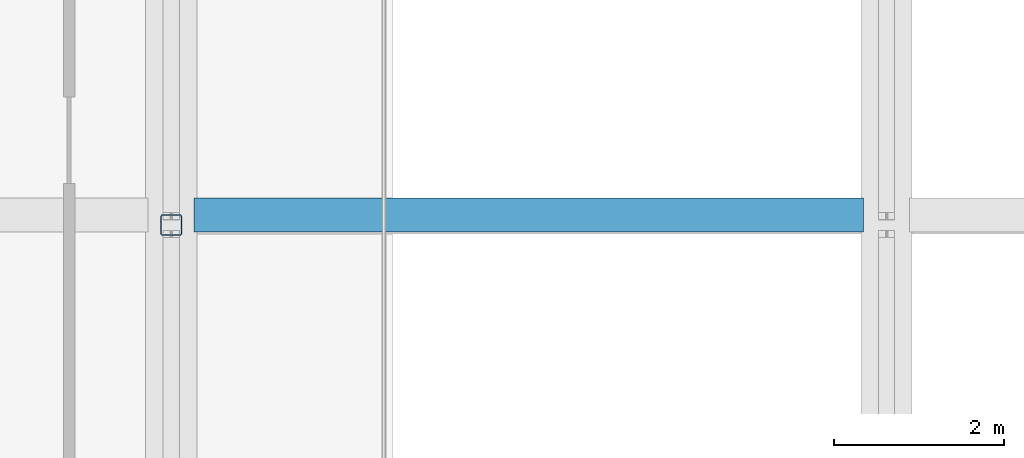
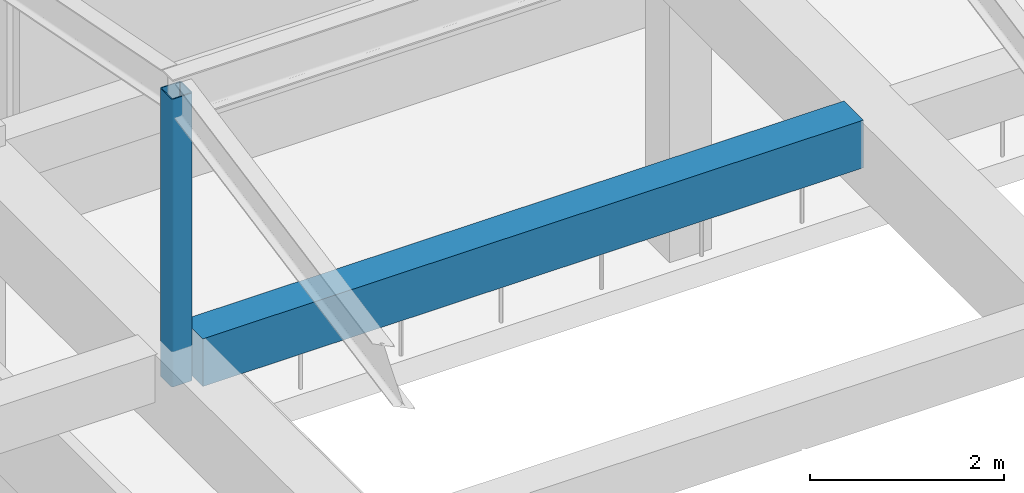
# One storey, part 25 of 91: 1 beam, 1 member.
"""IFC4 building model written with IfcOpenShell, lengths in metres."""

from ifc_helpers import new_model, si_unit, direction, frame, origin, origin_2d, place, context, subcontext, project, spatial, rectangle, hollow_rectangle, extrude, material, material_profile, profile_set, type_object, element, save


model = new_model("IFC4")

# Units and contexts
model_context = context("Model", 3, precision=1e-05, world=origin(), true_north=direction((0.0, 1.0)))
body_context = subcontext(model_context, "Body", "Model", "MODEL_VIEW")
ifc_project = project(units=[si_unit("LENGTHUNIT", "METRE"), si_unit("AREAUNIT", "SQUARE_METRE"), si_unit("VOLUMEUNIT", "CUBIC_METRE"), si_unit("PLANEANGLEUNIT", "RADIAN"), si_unit("MASSUNIT", "GRAM", prefix="KILO")], contexts=[model_context])

# Site, building, storey
site_placement = place(None, origin())
site = spatial("IfcSite", under=ifc_project, at=site_placement, CompositionType="ELEMENT")
building_placement = place(site_placement, origin())
building = spatial("IfcBuilding", under=site, at=building_placement, Name="Tarnavel Promenade Courthouse", CompositionType="ELEMENT")
storey_placement = place(building_placement, frame((0.0, 0.0, 9.89990234375)))
storey = spatial("IfcBuildingStorey", under=building, at=storey_placement, Name="L03", CompositionType="ELEMENT", Elevation=9.89990234375)

# Beam
ifc_material_1 = material(Name="Concrete C40/50", Category="concrete")
ifc_material_profile_1 = material_profile(ifc_material_1, rectangle(XDim=0.39990234375, YDim=0.60009765625, at=origin_2d()), Name="PT 400x600")
ifc_profile_set_1 = profile_set([ifc_material_profile_1], Name="Concrete C40/50")
beam_type = type_object("IfcBeamType", Name="Concrete C40/50 BM-PT-400x600 (PT 400x600)", PredefinedType="JOIST", material=ifc_profile_set_1)
beam_placement = place(storey_placement, frame((59.070068359375, 63.1201171875, 3.945068359375), z_axis=(1.0, 0.0, 0.0), x_axis=(0.0, 1.0, 0.0)))
element("IfcBeam", 1, at=beam_placement, inside=storey, type_object=beam_type, Name="L03 Secondary Floor Rib 1917", PredefinedType="JOIST", context=body_context, shape_type="SweptSolid", body=[
    extrude(rectangle(XDim=0.39990234375, YDim=0.60009765625, at=origin_2d()), origin(), (0.0, 0.0, 1.0), 7.85986328125),
])

# Member
ifc_material_2 = material(Name="Steel S355J2", Category="steel")
ifc_material_profile_2 = material_profile(ifc_material_2, hollow_rectangle(XDim=0.25, YDim=0.25, WallThickness=0.012451171875, InnerFilletRadius=0.012451171875, OuterFilletRadius=0.02490234375, at=origin_2d()), Name="SHS 250x250x12.5")
ifc_profile_set_2 = profile_set([ifc_material_profile_2], Name="Steel S355J2")
member_type = type_object("IfcMemberType", Name="Steel S355J2 MEM-STR-SHS250 (SHS 250x250x12.5)", PredefinedType="STRUT", material=ifc_profile_set_2)
member_placement = place(storey_placement, frame((58.800048828125, 63.0, 3.800048828125), z_axis=(0.0, 0.0, 1.0), x_axis=(1.0, 0.0, 0.0)))
element("IfcMember", 2, at=member_placement, inside=storey, type_object=member_type, Name="Winter-Garden Ridge King-Post 58", PredefinedType="STRUT", context=body_context, shape_type="SweptSolid", body=[
    extrude(hollow_rectangle(XDim=0.25, YDim=0.25, WallThickness=0.012451171875, InnerFilletRadius=0.012451171875, OuterFilletRadius=0.02490234375, at=origin_2d()), origin(), (0.0, 0.0, 1.0), 3.6201171875),
])

save(model, "model.ifc")
